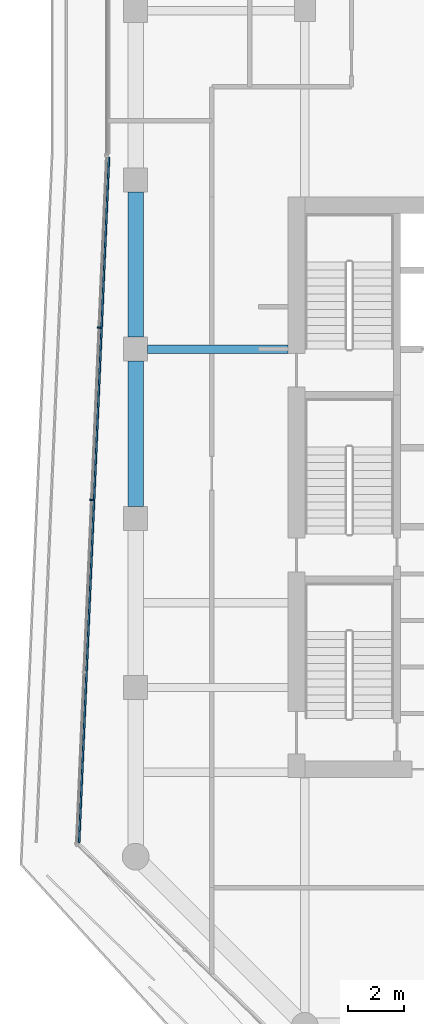
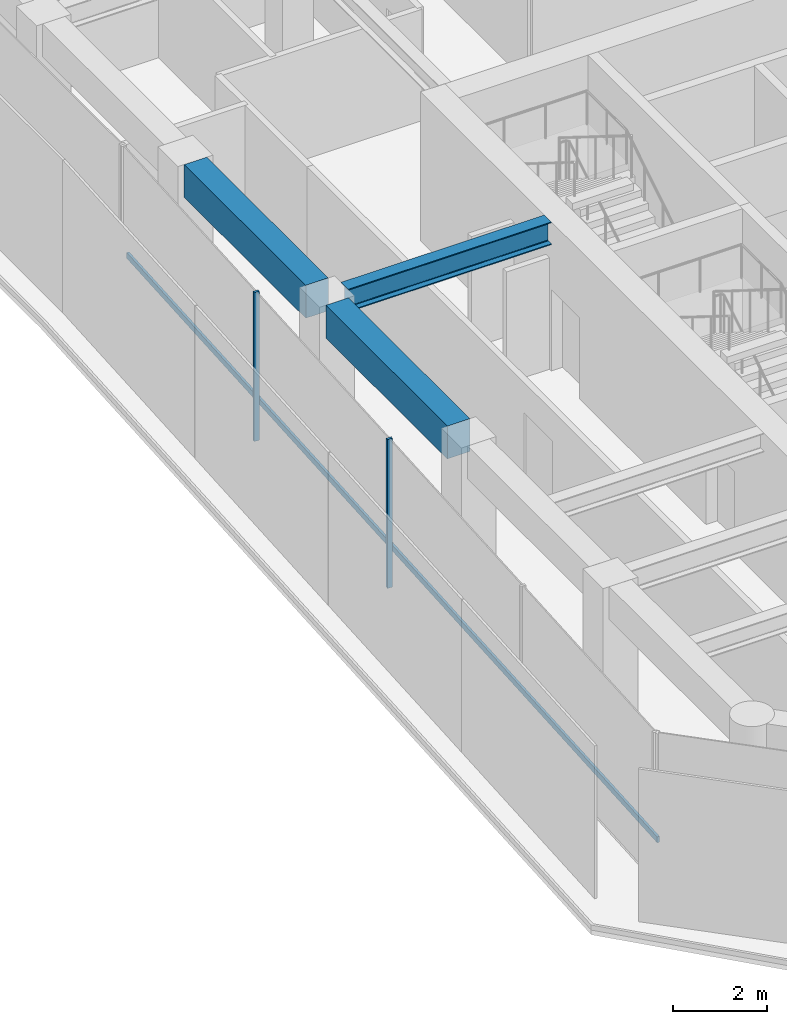
# One storey, part 4 of 21: 3 beams, 3 members, 1 element without a shape of its own.
"""IFC4 building model written with IfcOpenShell, lengths in metres."""

from ifc_helpers import new_model, si_unit, direction, frame, origin, origin_2d, place, context, subcontext, project, spatial, rectangle, i_section, extrude, material, layer, layer_set, material_profile, profile_set, type_object, element, aggregate, save


model = new_model("IFC4")

# Units and contexts
model_context = context("Model", 3, precision=1e-05, world=origin(), true_north=direction((0.0, 1.0)))
body_context = subcontext(model_context, "Body", "Model", "MODEL_VIEW")
ifc_project = project(units=[si_unit("LENGTHUNIT", "METRE"), si_unit("AREAUNIT", "SQUARE_METRE"), si_unit("VOLUMEUNIT", "CUBIC_METRE"), si_unit("PLANEANGLEUNIT", "RADIAN"), si_unit("MASSUNIT", "GRAM", prefix="KILO")], contexts=[model_context])

# Site, building, storey
site_placement = place(None, origin())
site = spatial("IfcSite", under=ifc_project, at=site_placement, CompositionType="ELEMENT")
building_placement = place(site_placement, origin())
building = spatial("IfcBuilding", under=site, at=building_placement, Name="Welwitschia Terrace Campus", CompositionType="ELEMENT")
storey_placement = place(building_placement, frame((0.0, 0.0, 159.199951171875)))
storey = spatial("IfcBuildingStorey", under=building, at=storey_placement, Name="L35", CompositionType="ELEMENT", Elevation=159.199951171875)

# Curtain wall, members
ifc_material_1 = material(Name="Bronze anodised aluminium", Category="aluminium")
ifc_layer = layer(ifc_material_1, 0.1201171875)
ifc_layer_set = layer_set([ifc_layer], Name="Bronze anodised aluminium")
curtain_wall_type = type_object("IfcCurtainWallType", Name="Curtain wall CW2 tower 6000", PredefinedType="NOTDEFINED", material=ifc_layer_set)
curtain_wall_placement = place(storey_placement, origin())
curtain_wall = element("IfcCurtainWall", 1, at=curtain_wall_placement, inside=storey, type_object=curtain_wall_type, Name="CW L35.0.0", PredefinedType="NOTDEFINED")
ifc_material_2 = material(Name="Bronze anodised aluminium", Category="aluminium")
ifc_material_profile_1 = material_profile(ifc_material_2, rectangle(XDim=0.1201171875, YDim=0.06005859375, at=origin_2d()))
ifc_profile_set_1 = profile_set([ifc_material_profile_1], Name="Bronze anodised aluminium")
member_type_1 = type_object("IfcMemberType", Name="Mullion 60x120", PredefinedType="MULLION", material=ifc_profile_set_1)
member_1_placement = place(storey_placement, frame((-1.296630859375, 20.760986328125, 0.0), z_axis=(0.0, 0.0, 1.0), x_axis=(0.999048221582, -0.043619387365, 0.0)))
member_1 = element("IfcMember", 2, at=member_1_placement, type_object=member_type_1, Name="Mullion L35.0.0.1", PredefinedType="MULLION", context=body_context, shape_type="SweptSolid", body=[
    extrude(rectangle(XDim=0.1201171875, YDim=0.06005859375, at=origin_2d()), origin(), (0.0, 0.0, 1.0), 3.85009765625),
])
member_2_placement = place(storey_placement, frame((-1.5634765625, 14.65283203125, 0.0), z_axis=(0.0, 0.0, 1.0), x_axis=(0.999048221582, -0.043619387365, 0.0)))
member_2 = element("IfcMember", 3, at=member_2_placement, type_object=member_type_1, Name="Mullion L35.0.0.2", PredefinedType="MULLION", context=body_context, shape_type="SweptSolid", body=[
    extrude(rectangle(XDim=0.1201171875, YDim=0.06005859375, at=origin_2d()), origin(), (0.0, 0.0, 1.0), 3.85009765625),
])

# Beams
ifc_material_3 = material(Name="Steel S355", Category="steel")
ifc_material_profile_2 = material_profile(ifc_material_3, i_section(OverallWidth=0.300048828125, OverallDepth=0.590087890625, WebThickness=0.012939453125, FlangeThickness=0.02490234375, FilletRadius=0.027099609375, at=origin_2d()))
ifc_profile_set_2 = profile_set([ifc_material_profile_2], Name="Steel S355")
beam_type_1 = type_object("IfcBeamType", Name="Primary beam HE 600 A", PredefinedType="BEAM", material=ifc_profile_set_2)
beam_placement = place(storey_placement, frame((0.425537109375, 20.0, 3.554931640625), z_axis=(1.0, 0.0, 0.0), x_axis=(0.0, 1.0, 0.0)))
element("IfcBeam", 4, at=beam_placement, inside=storey, type_object=beam_type_1, Name="Primary beam PB4", PredefinedType="BEAM", context=body_context, shape_type="SweptSolid", body=[
    extrude(i_section(OverallWidth=0.300048828125, OverallDepth=0.590087890625, WebThickness=0.012939453125, FlangeThickness=0.02490234375, FilletRadius=0.027099609375, at=origin_2d()), origin(), (0.0, 0.0, 1.0), 4.974365234375),
])
ifc_material_4 = material(Name="Concrete C50/60", Category="concrete")
ifc_material_profile_3 = material_profile(ifc_material_4, rectangle(XDim=0.550048828125, YDim=0.85009765625, at=origin_2d()))
ifc_profile_set_3 = profile_set([ifc_material_profile_3], Name="Concrete C50/60")
beam_type_2 = type_object("IfcBeamType", Name="Ring spandrel 550x850", PredefinedType="SPANDREL", material=ifc_profile_set_3)
for number, where, z_axis, x_axis, name in (
    (5, (0.0, 25.574462890625, 3.425048828125), (0.0, -1.0, 0.0), (1.0, 0.0, 0.0), "Spandrel SP3"),
    (6, (0.0, 19.574462890625, 3.425048828125), (0.0, -1.0, 0.0), (1.0, 0.0, 0.0), "Spandrel SP3"),
):
    element("IfcBeam", number, at=place(storey_placement, frame(where, z_axis=z_axis, x_axis=x_axis)), inside=storey, type_object=beam_type_2, Name=name, PredefinedType="SPANDREL", context=body_context, shape_type="SweptSolid", body=[
        extrude(rectangle(XDim=0.550048828125, YDim=0.85009765625, at=origin_2d()), origin(), (0.0, 0.0, 1.0), 5.14892578125),
    ])

# Member
ifc_material_5 = material(Name="Bronze anodised aluminium", Category="aluminium")
ifc_material_profile_4 = material_profile(ifc_material_5, rectangle(XDim=0.06005859375, YDim=0.14990234375, at=origin_2d()))
ifc_profile_set_4 = profile_set([ifc_material_profile_4], Name="Bronze anodised aluminium")
member_type_2 = type_object("IfcMemberType", Name="Transom 60x150", PredefinedType="USERDEFINED", material=ifc_profile_set_4)
member_3_placement = place(storey_placement, frame((-0.942626953125, 26.80517578125, 1.0), z_axis=(-0.043619637696, -0.999048210652, 0.0), x_axis=(0.999048210652, -0.043619637696, 0.0)))
member_3 = element("IfcMember", 7, at=member_3_placement, type_object=member_type_2, Name="Transom L35.0.0", ObjectType="TRANSOM", PredefinedType="USERDEFINED", context=body_context, shape_type="SweptSolid", body=[
    extrude(rectangle(XDim=0.06005859375, YDim=0.14990234375, at=origin_2d()), origin(), (0.0, 0.0, 1.0), 24.3359375),
])

aggregate(curtain_wall, [member_1, member_2, member_3])

save(model, "model.ifc")
